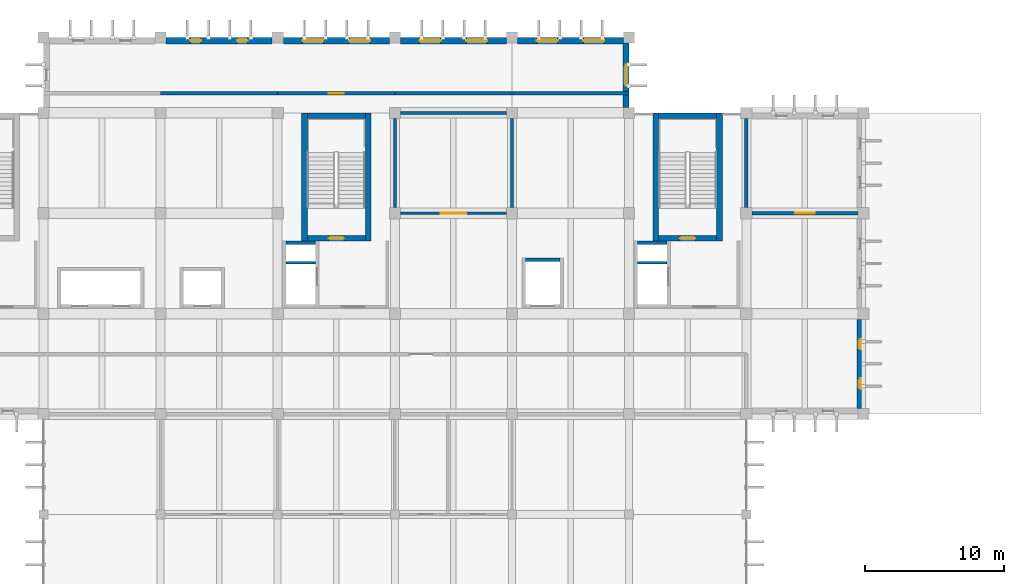
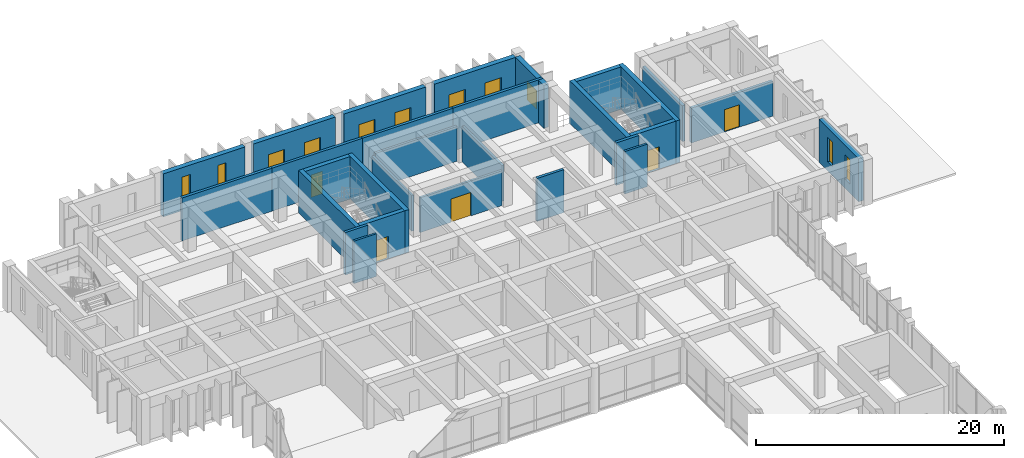
# One storey, part 30 of 40: 29 walls, 11 windows, 5 doors, 16 openings.
"""IFC4 building model written with IfcOpenShell, lengths in metres."""

from ifc_helpers import new_model, si_unit, direction, frame, frame_2d, origin, place, context, subcontext, project, spatial, rectangle, extrude, material, layer, layer_set, type_object, element, fill, save


model = new_model("IFC4")

# Units and contexts
model_context = context("Model", 3, precision=1e-05, world=origin(), true_north=direction((0.0, 1.0)))
body_context = subcontext(model_context, "Body", "Model", "MODEL_VIEW")
ifc_project = project(units=[si_unit("LENGTHUNIT", "METRE"), si_unit("AREAUNIT", "SQUARE_METRE"), si_unit("VOLUMEUNIT", "CUBIC_METRE"), si_unit("PLANEANGLEUNIT", "RADIAN"), si_unit("MASSUNIT", "GRAM", prefix="KILO")], contexts=[model_context])

# Site, building, storey
site_placement = place(None, origin())
site = spatial("IfcSite", under=ifc_project, at=site_placement, CompositionType="ELEMENT")
building_placement = place(site_placement, origin())
building = spatial("IfcBuilding", under=site, at=building_placement, Name="Kenerak Square Central Library", CompositionType="ELEMENT")
storey_placement = place(building_placement, frame((0.0, 0.0, 14.39990234375)))
storey = spatial("IfcBuildingStorey", under=building, at=storey_placement, Name="L03", CompositionType="ELEMENT", Elevation=14.39990234375)

# Walls
ifc_material_1 = material(Name="Concrete C40/50", Category="concrete")
ifc_layer_1 = layer(ifc_material_1, 0.25)
ifc_layer_set_1 = layer_set([ifc_layer_1], Name="Concrete C40/50")
wall_type_1 = type_object("IfcWallType", Name="Archive Compartment Wall IW-250 C40/50", PredefinedType="SOLIDWALL", material=ifc_layer_set_1)
wall_1_placement = place(storey_placement, frame((108.800048828125, 111.800048828125, 0.0), z_axis=(0.0, 0.0, 1.0), x_axis=(-1.0, 0.0, 0.0)))
element("IfcWall", 1, at=wall_1_placement, inside=storey, type_object=wall_type_1, Name="Interior Wall IW-L03-07-S1-B1", PredefinedType="SOLIDWALL", context=body_context, shape_type="SweptSolid", body=[
    extrude(rectangle(XDim=8.400146484375, YDim=0.25, at=frame_2d((4.2001953125, 0.0))), origin(), (0.0, 0.0, 1.0), 4.22998046875),
])
wall_2_placement = place(storey_placement, frame((100.39990234375, 111.800048828125, 0.0), z_axis=(0.0, 0.0, 1.0), x_axis=(-1.0, 0.0, 0.0)))
element("IfcWall", 2, at=wall_2_placement, inside=storey, type_object=wall_type_1, Name="Interior Wall IW-L03-07-S1-B2", PredefinedType="SOLIDWALL", context=body_context, shape_type="SweptSolid", body=[
    extrude(rectangle(XDim=8.39990234375, YDim=0.25, at=frame_2d((4.199951171875, 0.0))), origin(), (0.0, 0.0, 1.0), 4.22998046875),
])

# Wall, opening, door
wall_3_placement = place(storey_placement, frame((92.0, 111.800048828125, 0.0), z_axis=(0.0, 0.0, 1.0), x_axis=(-1.0, 0.0, 0.0)))
wall_3 = element("IfcWall", 3, at=wall_3_placement, inside=storey, type_object=wall_type_1, Name="Interior Wall IW-L03-07-S1-B3", PredefinedType="SOLIDWALL", context=body_context, shape_type="SweptSolid", body=[
    extrude(rectangle(XDim=8.39990234375, YDim=0.25, at=frame_2d((4.199951171875, 0.0))), origin(), (0.0, 0.0, 1.0), 4.22998046875),
])
opening_1_placement = place(wall_3_placement, frame((3.675048828125, 0.0, 0.0)))
opening_1 = element("IfcOpeningElement", 4, at=opening_1_placement, cuts=wall_3, Name="Opening ID-04", PredefinedType="OPENING", context=body_context, shape_type="SweptSolid", body=[
    extrude(rectangle(XDim=1.050048828125, YDim=2.199951171875, at=frame_2d((0.52490234375, 1.10009765625))), frame((0.0, 0.135009765625, 0.0), z_axis=(0.0, -1.0, 0.0), x_axis=(1.0, 0.0, 0.0)), (0.0, 0.0, 1.0), 0.27001953125),
])
ifc_material_2 = material(Name="Steel S355", Category="steel")
door_type_1 = type_object("IfcDoorType", Name="Conservation Lab Door ID-1050x2200 FD60S", OperationType="NOTDEFINED", PredefinedType="DOOR", material=ifc_material_2)
door_1_placement = place(opening_1_placement, origin())
door_1 = element("IfcDoor", 5, at=door_1_placement, inside=storey, type_object=door_type_1, Name="Paper Deacidification and Conservation Laboratory Door", OperationType="SINGLE_SWING_LEFT", OverallHeight=2.199951171875, OverallWidth=1.050048828125, PredefinedType="DOOR", context=body_context, shape_type="SweptSolid", body=[
    extrude(rectangle(XDim=1.050048828125, YDim=2.199951171875, at=frame_2d((0.52490234375, 1.10009765625))), frame((0.0, 0.02490234375, 0.0), z_axis=(0.0, -1.0, 0.0), x_axis=(1.0, 0.0, 0.0)), (0.0, 0.0, 1.0), 0.050048828125),
])
fill(opening_1, door_1)

# Wall
wall_4_placement = place(storey_placement, frame((83.60009765625, 111.800048828125, 0.0), z_axis=(0.0, 0.0, 1.0), x_axis=(-1.0, 0.0, 0.0)))
element("IfcWall", 6, at=wall_4_placement, inside=storey, type_object=wall_type_1, Name="Interior Wall IW-L03-07-S1-B4", PredefinedType="SOLIDWALL", context=body_context, shape_type="SweptSolid", body=[
    extrude(rectangle(XDim=8.400146484375, YDim=0.25, at=frame_2d((4.2001953125, 0.0))), origin(), (0.0, 0.0, 1.0), 4.22998046875),
])

# Wall, opening, door
wall_5_placement = place(storey_placement, frame((125.199951171875, 103.199951171875, 0.0), z_axis=(0.0, 0.0, 1.0), x_axis=(-1.0, 0.0, 0.0)))
wall_5 = element("IfcWall", 7, at=wall_5_placement, inside=storey, type_object=wall_type_1, Name="Interior Wall IW-L03-08-S1-B1", PredefinedType="SOLIDWALL", context=body_context, shape_type="SweptSolid", body=[
    extrude(rectangle(XDim=7.599853515625, YDim=0.25, at=frame_2d((3.7998046875, 0.0))), origin(), (0.0, 0.0, 1.0), 3.43017578125),
])
opening_2_placement = place(wall_5_placement, frame((3.10009765625, 0.0, 0.0)))
opening_2 = element("IfcOpeningElement", 8, at=opening_2_placement, cuts=wall_5, Name="Opening ID-07", PredefinedType="OPENING", context=body_context, shape_type="SweptSolid", body=[
    extrude(rectangle(XDim=1.39990234375, YDim=2.199951171875, at=frame_2d((0.699951171875, 1.10009765625))), frame((0.0, 0.135009765625, 0.0), z_axis=(0.0, -1.0, 0.0), x_axis=(1.0, 0.0, 0.0)), (0.0, 0.0, 1.0), 0.27001953125),
])
door_type_2 = type_object("IfcDoorType", Name="Plant and Store Unequal Pair Door ID-1400x2200 FD60S", OperationType="NOTDEFINED", PredefinedType="DOOR", material=ifc_material_2)
door_2_placement = place(opening_2_placement, origin())
door_2 = element("IfcDoor", 9, at=door_2_placement, inside=storey, type_object=door_type_2, Name="Archival Mechanical Handling Plant Room L03 Door", OperationType="SINGLE_SWING_RIGHT", OverallHeight=2.199951171875, OverallWidth=1.39990234375, PredefinedType="DOOR", context=body_context, shape_type="SweptSolid", body=[
    extrude(rectangle(XDim=1.39990234375, YDim=2.199951171875, at=frame_2d((0.699951171875, 1.10009765625))), frame((0.0, 0.02490234375, 0.0), z_axis=(0.0, -1.0, 0.0), x_axis=(1.0, 0.0, 0.0)), (0.0, 0.0, 1.0), 0.050048828125),
])
fill(opening_2, door_2)

# Walls
wall_6_placement = place(storey_placement, frame((117.199951171875, 103.60009765625, 0.0), z_axis=(0.0, 0.0, 1.0), x_axis=(0.0, 1.0, 0.0)))
element("IfcWall", 10, at=wall_6_placement, inside=storey, type_object=wall_type_1, Name="Interior Wall IW-L03-08-W3-B1", PredefinedType="SOLIDWALL", context=body_context, shape_type="SweptSolid", body=[
    extrude(rectangle(XDim=6.39990234375, YDim=0.25, at=frame_2d((3.199951171875, 0.0))), origin(), (0.0, 0.0, 1.0), 3.530029296875),
])
ifc_layer_2 = layer(ifc_material_1, 0.39990234375)
ifc_layer_set_2 = layer_set([ifc_layer_2], Name="Concrete C40/50")
wall_type_2 = type_object("IfcWallType", Name="Core Shear Wall CW-400 C40/50", PredefinedType="SHEAR", material=ifc_layer_set_2)
for number, where, z_axis, x_axis, name in (
    (11, (85.52001953125, 101.199951171875, 0.0), (0.0, 0.0, 1.0), (0.0, 1.0, 0.0), "Core Wall CW-C2 L03 West"),
    (12, (90.080078125, 110.39990234375, 0.0), (0.0, 0.0, 1.0), (0.0, -1.0, 0.0), "Core Wall CW-C2 L03 East"),
):
    element("IfcWall", number, at=place(storey_placement, frame(where, z_axis=z_axis, x_axis=x_axis)), inside=storey, type_object=wall_type_2, Name=name, PredefinedType="SHEAR", context=body_context, shape_type="SweptSolid", body=[
        extrude(rectangle(XDim=9.199951171875, YDim=0.39990234375, at=frame_2d((4.60009765625, 0.0))), origin(), (0.0, 0.0, 1.0), 4.18017578125),
    ])

# Wall, opening, door
wall_7_placement = place(storey_placement, frame((89.8798828125, 101.39990234375, 0.0), z_axis=(0.0, 0.0, 1.0), x_axis=(-1.0, 0.0, 0.0)))
wall_7 = element("IfcWall", 13, at=wall_7_placement, inside=storey, type_object=wall_type_2, Name="Core Wall CW-C2 L03 South", PredefinedType="SHEAR", context=body_context, shape_type="SweptSolid", body=[
    extrude(rectangle(XDim=4.159912109375, YDim=0.39990234375, at=frame_2d((2.080078125, 0.0))), origin(), (0.0, 0.0, 1.0), 4.18017578125),
])
opening_3_placement = place(wall_7_placement, frame((1.530029296875, 0.0, 0.0)))
opening_3 = element("IfcOpeningElement", 14, at=opening_3_placement, cuts=wall_7, Name="Opening D-ST1", PredefinedType="OPENING", context=body_context, shape_type="SweptSolid", body=[
    extrude(rectangle(XDim=1.10009765625, YDim=2.199951171875, at=frame_2d((0.550048828125, 1.10009765625))), frame((0.0, 0.2099609375, 0.0), z_axis=(0.0, -1.0, 0.0), x_axis=(1.0, 0.0, 0.0)), (0.0, 0.0, 1.0), 0.419921875),
])
door_type_3 = type_object("IfcDoorType", Name="Protected Stair Fire Door FD-1100x2200 FD60S", OperationType="NOTDEFINED", PredefinedType="DOOR", material=ifc_material_2)
door_3_placement = place(opening_3_placement, frame((1.10009765625, 0.0, 0.0), z_axis=(0.0, 0.0, 1.0), x_axis=(-1.0, 0.0, 0.0)))
door_3 = element("IfcDoor", 15, at=door_3_placement, inside=storey, type_object=door_type_3, Name="Stair Door ST-02 L03", OperationType="SINGLE_SWING_RIGHT", OverallHeight=2.199951171875, OverallWidth=1.10009765625, PredefinedType="DOOR", context=body_context, shape_type="SweptSolid", body=[
    extrude(rectangle(XDim=1.10009765625, YDim=2.199951171875, at=frame_2d((0.550048828125, 1.10009765625))), frame((0.0, 0.02490234375, 0.0), z_axis=(0.0, -1.0, 0.0), x_axis=(1.0, 0.0, 0.0)), (0.0, 0.0, 1.0), 0.050048828125),
])
fill(opening_3, door_3)

# Walls
wall_8_placement = place(storey_placement, frame((85.719970703125, 110.199951171875, 0.0), z_axis=(0.0, 0.0, 1.0), x_axis=(1.0, 0.0, 0.0)))
element("IfcWall", 16, at=wall_8_placement, inside=storey, type_object=wall_type_2, Name="Core Wall CW-C2 L03 North", PredefinedType="SHEAR", context=body_context, shape_type="SweptSolid", body=[
    extrude(rectangle(XDim=4.159912109375, YDim=0.39990234375, at=frame_2d((2.080078125, 0.0))), origin(), (0.0, 0.0, 1.0), 4.18017578125),
])
for number, where, z_axis, x_axis, name in (
    (17, (110.719970703125, 101.199951171875, 0.0), (0.0, 0.0, 1.0), (0.0, 1.0, 0.0), "Core Wall CW-C3 L03 West"),
    (18, (115.280029296875, 110.39990234375, 0.0), (0.0, 0.0, 1.0), (0.0, -1.0, 0.0), "Core Wall CW-C3 L03 East"),
):
    element("IfcWall", number, at=place(storey_placement, frame(where, z_axis=z_axis, x_axis=x_axis)), inside=storey, type_object=wall_type_2, Name=name, PredefinedType="SHEAR", context=body_context, shape_type="SweptSolid", body=[
        extrude(rectangle(XDim=9.199951171875, YDim=0.39990234375, at=frame_2d((4.60009765625, 0.0))), origin(), (0.0, 0.0, 1.0), 4.18017578125),
    ])

# Wall, opening, door
wall_9_placement = place(storey_placement, frame((115.080078125, 101.39990234375, 0.0), z_axis=(0.0, 0.0, 1.0), x_axis=(-1.0, 0.0, 0.0)))
wall_9 = element("IfcWall", 19, at=wall_9_placement, inside=storey, type_object=wall_type_2, Name="Core Wall CW-C3 L03 South", PredefinedType="SHEAR", context=body_context, shape_type="SweptSolid", body=[
    extrude(rectangle(XDim=4.16015625, YDim=0.39990234375, at=frame_2d((2.080078125, 0.0))), origin(), (0.0, 0.0, 1.0), 4.18017578125),
])
opening_4_placement = place(wall_9_placement, frame((1.530029296875, 0.0, 0.0)))
opening_4 = element("IfcOpeningElement", 20, at=opening_4_placement, cuts=wall_9, Name="Opening D-ST1", PredefinedType="OPENING", context=body_context, shape_type="SweptSolid", body=[
    extrude(rectangle(XDim=1.10009765625, YDim=2.199951171875, at=frame_2d((0.550048828125, 1.10009765625))), frame((0.0, 0.2099609375, 0.0), z_axis=(0.0, -1.0, 0.0), x_axis=(1.0, 0.0, 0.0)), (0.0, 0.0, 1.0), 0.419921875),
])
door_4_placement = place(opening_4_placement, frame((1.10009765625, 0.0, 0.0), z_axis=(0.0, 0.0, 1.0), x_axis=(-1.0, 0.0, 0.0)))
door_4 = element("IfcDoor", 21, at=door_4_placement, inside=storey, type_object=door_type_3, Name="Stair Door ST-03 L03", OperationType="SINGLE_SWING_LEFT", OverallHeight=2.199951171875, OverallWidth=1.10009765625, PredefinedType="DOOR", context=body_context, shape_type="SweptSolid", body=[
    extrude(rectangle(XDim=1.10009765625, YDim=2.199951171875, at=frame_2d((0.550048828125, 1.10009765625))), frame((0.0, 0.02490234375, 0.0), z_axis=(0.0, -1.0, 0.0), x_axis=(1.0, 0.0, 0.0)), (0.0, 0.0, 1.0), 0.050048828125),
])
fill(opening_4, door_4)

# Walls
wall_10_placement = place(storey_placement, frame((110.919921875, 110.199951171875, 0.0), z_axis=(0.0, 0.0, 1.0), x_axis=(1.0, 0.0, 0.0)))
element("IfcWall", 22, at=wall_10_placement, inside=storey, type_object=wall_type_2, Name="Core Wall CW-C3 L03 North", PredefinedType="SHEAR", context=body_context, shape_type="SweptSolid", body=[
    extrude(rectangle(XDim=4.16015625, YDim=0.39990234375, at=frame_2d((2.080078125, 0.0))), origin(), (0.0, 0.0, 1.0), 4.18017578125),
])
ifc_layer_3 = layer(ifc_material_1, 0.199951171875)
ifc_layer_set_3 = layer_set([ifc_layer_3], Name="Concrete C40/50")
wall_type_3 = type_object("IfcWallType", Name="Lobby Compartment Wall LW-200 C40/50", PredefinedType="SOLIDWALL", material=ifc_layer_set_3)
for number, where, z_axis, x_axis, name in (
    (23, (84.199951171875, 99.64990234375, 0.0), (0.0, 0.0, 1.0), (1.0, 0.0, 0.0), "Riser Divider Wall C2 L03"),
    (24, (109.39990234375, 99.64990234375, 0.0), (0.0, 0.0, 1.0), (1.0, 0.0, 0.0), "Riser Divider Wall C3 L03"),
):
    element("IfcWall", number, at=place(storey_placement, frame(where, z_axis=z_axis, x_axis=x_axis)), inside=storey, type_object=wall_type_3, Name=name, PredefinedType="SOLIDWALL", context=body_context, shape_type="SweptSolid", body=[
        extrude(rectangle(XDim=2.10009765625, YDim=0.199951171875, at=frame_2d((1.050048828125, 0.0))), origin(), (0.0, 0.0, 1.0), 4.18017578125),
    ])

# Wall, opening, door
ifc_material_3 = material(Name="Precast concrete C40/50", Category="concrete")
ifc_layer_4 = layer(ifc_material_3, 0.199951171875)
ifc_layer_set_4 = layer_set([ifc_layer_4], Name="Precast concrete C40/50")
wall_type_4 = type_object("IfcWallType", Name="Protected Corridor Fire Wall IW-200 C40/50", PredefinedType="PARTITIONING", material=ifc_layer_set_4)
wall_11_placement = place(storey_placement, frame((100.0, 103.199951171875, 0.0), z_axis=(0.0, 0.0, 1.0), x_axis=(-1.0, 0.0, 0.0)))
wall_11 = element("IfcWall", 25, at=wall_11_placement, inside=storey, type_object=wall_type_4, Name="Interior Wall IW-L03-13-S1-B1", PredefinedType="PARTITIONING", context=body_context, shape_type="SweptSolid", body=[
    extrude(rectangle(XDim=7.60009765625, YDim=0.199951171875, at=frame_2d((3.800048828125, 0.0))), origin(), (0.0, 0.0, 1.0), 3.43017578125),
])
opening_5_placement = place(wall_11_placement, frame((2.875, 0.0, 0.0)))
opening_5 = element("IfcOpeningElement", 26, at=opening_5_placement, cuts=wall_11, Name="Opening ID-09", PredefinedType="OPENING", context=body_context, shape_type="SweptSolid", body=[
    extrude(rectangle(XDim=1.85009765625, YDim=2.300048828125, at=frame_2d((0.925048828125, 1.14990234375))), frame((0.0, 0.10986328125, 0.0), z_axis=(0.0, -1.0, 0.0), x_axis=(1.0, 0.0, 0.0)), (0.0, 0.0, 1.0), 0.219970703125),
])
ifc_material_4 = material(Name="Anodised aluminium and laminated glass", Category="aluminium")
door_type_4 = type_object("IfcDoorType", Name="Reading Room Glazed Double Door ID-1850x2300 FD60S", OperationType="NOTDEFINED", PredefinedType="DOOR", material=ifc_material_4)
door_5_placement = place(opening_5_placement, origin())
door_5 = element("IfcDoor", 27, at=door_5_placement, inside=storey, type_object=door_type_4, Name="Historical Maps and Atlases Folio Room Door", OperationType="DOUBLE_DOOR_SINGLE_SWING", OverallHeight=2.300048828125, OverallWidth=1.85009765625, PredefinedType="DOOR", context=body_context, shape_type="SweptSolid", body=[
    extrude(rectangle(XDim=1.85009765625, YDim=2.300048828125, at=frame_2d((0.925048828125, 1.14990234375))), frame((0.0, 0.02490234375, 0.0), z_axis=(0.0, -1.0, 0.0), x_axis=(1.0, 0.0, 0.0)), (0.0, 0.0, 1.0), 0.050048828125),
])
fill(opening_5, door_5)

# Walls
wall_12_placement = place(storey_placement, frame((92.39990234375, 110.39990234375, 0.0), z_axis=(0.0, 0.0, 1.0), x_axis=(1.0, 0.0, 0.0)))
element("IfcWall", 28, at=wall_12_placement, inside=storey, type_object=wall_type_4, Name="Interior Wall IW-L03-13-N2-B1", PredefinedType="PARTITIONING", context=body_context, shape_type="SweptSolid", body=[
    extrude(rectangle(XDim=7.60009765625, YDim=0.199951171875, at=frame_2d((3.800048828125, 0.0))), origin(), (0.0, 0.0, 1.0), 3.43017578125),
])
for number, where, z_axis, x_axis, name in (
    (29, (92.0, 103.60009765625, 0.0), (0.0, 0.0, 1.0), (0.0, 1.0, 0.0), "Interior Wall IW-L03-13-W3-B1"),
    (30, (100.39990234375, 110.0, 0.0), (0.0, 0.0, 1.0), (0.0, -1.0, 0.0), "Interior Wall IW-L03-13-E4-B1"),
):
    element("IfcWall", number, at=place(storey_placement, frame(where, z_axis=z_axis, x_axis=x_axis)), inside=storey, type_object=wall_type_4, Name=name, PredefinedType="PARTITIONING", context=body_context, shape_type="SweptSolid", body=[
        extrude(rectangle(XDim=6.39990234375, YDim=0.199951171875, at=frame_2d((3.199951171875, 0.0))), origin(), (0.0, 0.0, 1.0), 3.530029296875),
    ])

# Wall, openings, windows
ifc_layer_5 = layer(ifc_material_1, 0.449951171875)
ifc_layer_set_5 = layer_set([ifc_layer_5], Name="Concrete C40/50")
wall_type_5 = type_object("IfcWallType", Name="Rare-Books Vault Exterior Wall VW-450 C40/50", PredefinedType="SOLIDWALL", material=ifc_layer_set_5)
wall_13_placement = place(storey_placement, frame((75.60009765625, 115.574951171875, 0.0), z_axis=(0.0, 0.0, 1.0), x_axis=(1.0, 0.0, 0.0)))
wall_13 = element("IfcWall", 31, at=wall_13_placement, inside=storey, type_object=wall_type_5, Name="Exterior Facade Wall L03 0201", PredefinedType="SOLIDWALL", context=body_context, shape_type="SweptSolid", body=[
    extrude(rectangle(XDim=7.599853515625, YDim=0.449951171875, at=frame_2d((3.7998046875, 0.0))), origin(), (0.0, 0.0, 1.0), 4.22998046875),
])
opening_6_placement = place(wall_13_placement, frame((1.7529296875, 0.0, 0.89990234375)))
opening_6 = element("IfcOpeningElement", 32, at=opening_6_placement, cuts=wall_13, Name="Opening W-02", PredefinedType="OPENING", context=body_context, shape_type="SweptSolid", body=[
    extrude(rectangle(XDim=0.75, YDim=2.39990234375, at=frame_2d((0.375, 1.199951171875))), frame((0.0, 0.23486328125, 0.0), z_axis=(0.0, -1.0, 0.0), x_axis=(1.0, 0.0, 0.0)), (0.0, 0.0, 1.0), 0.469970703125),
])
opening_7_placement = place(wall_13_placement, frame((5.096923828125, 0.0, 0.89990234375)))
opening_7 = element("IfcOpeningElement", 33, at=opening_7_placement, cuts=wall_13, Name="Opening W-02", PredefinedType="OPENING", context=body_context, shape_type="SweptSolid", body=[
    extrude(rectangle(XDim=0.75, YDim=2.39990234375, at=frame_2d((0.375, 1.199951171875))), frame((0.0, 0.23486328125, 0.0), z_axis=(0.0, -1.0, 0.0), x_axis=(1.0, 0.0, 0.0)), (0.0, 0.0, 1.0), 0.469970703125),
])
ifc_material_5 = material(Name="Solar-control low-E laminated double glazing", Category="glass")
window_type_1 = type_object("IfcWindowType", Name="Archive Narrow Slot Window W-02 750x2400", PartitioningType="SINGLE_PANEL", PredefinedType="WINDOW", material=ifc_material_5)
window_1_placement = place(opening_6_placement, origin())
window_1 = element("IfcWindow", 34, at=window_1_placement, inside=storey, type_object=window_type_1, Name="Window W-02 L03 0213", OverallHeight=2.39990234375, OverallWidth=0.75, PartitioningType="SINGLE_PANEL", PredefinedType="WINDOW", context=body_context, shape_type="SweptSolid", body=[
    extrude(rectangle(XDim=0.75, YDim=2.39990234375, at=frame_2d((0.375, 1.199951171875))), frame((0.0, 0.030029296875, 0.0), z_axis=(0.0, -1.0, 0.0), x_axis=(1.0, 0.0, 0.0)), (0.0, 0.0, 1.0), 0.06005859375),
])
fill(opening_6, window_1)
window_2_placement = place(opening_7_placement, origin())
window_2 = element("IfcWindow", 35, at=window_2_placement, inside=storey, type_object=window_type_1, Name="Window W-02 L03 0214", OverallHeight=2.39990234375, OverallWidth=0.75, PartitioningType="SINGLE_PANEL", PredefinedType="WINDOW", context=body_context, shape_type="SweptSolid", body=[
    extrude(rectangle(XDim=0.75, YDim=2.39990234375, at=frame_2d((0.375, 1.199951171875))), frame((0.0, 0.030029296875, 0.0), z_axis=(0.0, -1.0, 0.0), x_axis=(1.0, 0.0, 0.0)), (0.0, 0.0, 1.0), 0.06005859375),
])
fill(opening_7, window_2)

wall_14_placement = place(storey_placement, frame((84.0, 115.574951171875, 0.0), z_axis=(0.0, 0.0, 1.0), x_axis=(1.0, 0.0, 0.0)))
wall_14 = element("IfcWall", 36, at=wall_14_placement, inside=storey, type_object=wall_type_5, Name="Exterior Facade Wall L03 0202", PredefinedType="SOLIDWALL", context=body_context, shape_type="SweptSolid", body=[
    extrude(rectangle(XDim=7.60009765625, YDim=0.449951171875, at=frame_2d((3.800048828125, 0.0))), origin(), (0.0, 0.0, 1.0), 4.22998046875),
])
opening_8_placement = place(wall_14_placement, frame((1.3779296875, 0.0, 0.89990234375)))
opening_8 = element("IfcOpeningElement", 37, at=opening_8_placement, cuts=wall_14, Name="Opening W-06", PredefinedType="OPENING", context=body_context, shape_type="SweptSolid", body=[
    extrude(rectangle(XDim=1.5, YDim=1.800048828125, at=frame_2d((0.75, 0.89990234375))), frame((0.0, 0.23486328125, 0.0), z_axis=(0.0, -1.0, 0.0), x_axis=(1.0, 0.0, 0.0)), (0.0, 0.0, 1.0), 0.469970703125),
])
opening_9_placement = place(wall_14_placement, frame((4.721923828125, 0.0, 0.89990234375)))
opening_9 = element("IfcOpeningElement", 38, at=opening_9_placement, cuts=wall_14, Name="Opening W-06", PredefinedType="OPENING", context=body_context, shape_type="SweptSolid", body=[
    extrude(rectangle(XDim=1.5, YDim=1.800048828125, at=frame_2d((0.75, 0.89990234375))), frame((0.0, 0.23486328125, 0.0), z_axis=(0.0, -1.0, 0.0), x_axis=(1.0, 0.0, 0.0)), (0.0, 0.0, 1.0), 0.469970703125),
])
window_type_2 = type_object("IfcWindowType", Name="Seminar Room Window W-06 1500x1800", PartitioningType="SINGLE_PANEL", PredefinedType="WINDOW", material=ifc_material_5)
window_3_placement = place(opening_8_placement, origin())
window_3 = element("IfcWindow", 39, at=window_3_placement, inside=storey, type_object=window_type_2, Name="Window W-06 L03 0215", OverallHeight=1.800048828125, OverallWidth=1.5, PartitioningType="SINGLE_PANEL", PredefinedType="WINDOW", context=body_context, shape_type="SweptSolid", body=[
    extrude(rectangle(XDim=1.5, YDim=1.800048828125, at=frame_2d((0.75, 0.89990234375))), frame((0.0, 0.030029296875, 0.0), z_axis=(0.0, -1.0, 0.0), x_axis=(1.0, 0.0, 0.0)), (0.0, 0.0, 1.0), 0.06005859375),
])
fill(opening_8, window_3)
window_4_placement = place(opening_9_placement, origin())
window_4 = element("IfcWindow", 40, at=window_4_placement, inside=storey, type_object=window_type_2, Name="Window W-06 L03 0216", OverallHeight=1.800048828125, OverallWidth=1.5, PartitioningType="SINGLE_PANEL", PredefinedType="WINDOW", context=body_context, shape_type="SweptSolid", body=[
    extrude(rectangle(XDim=1.5, YDim=1.800048828125, at=frame_2d((0.75, 0.89990234375))), frame((0.0, 0.030029296875, 0.0), z_axis=(0.0, -1.0, 0.0), x_axis=(1.0, 0.0, 0.0)), (0.0, 0.0, 1.0), 0.06005859375),
])
fill(opening_9, window_4)

wall_15_placement = place(storey_placement, frame((92.39990234375, 115.574951171875, 0.0), z_axis=(0.0, 0.0, 1.0), x_axis=(1.0, 0.0, 0.0)))
wall_15 = element("IfcWall", 41, at=wall_15_placement, inside=storey, type_object=wall_type_5, Name="Exterior Facade Wall L03 0203", PredefinedType="SOLIDWALL", context=body_context, shape_type="SweptSolid", body=[
    extrude(rectangle(XDim=7.60009765625, YDim=0.449951171875, at=frame_2d((3.800048828125, 0.0))), origin(), (0.0, 0.0, 1.0), 4.22998046875),
])
opening_10_placement = place(wall_15_placement, frame((1.3779296875, 0.0, 0.89990234375)))
opening_10 = element("IfcOpeningElement", 42, at=opening_10_placement, cuts=wall_15, Name="Opening W-06", PredefinedType="OPENING", context=body_context, shape_type="SweptSolid", body=[
    extrude(rectangle(XDim=1.5, YDim=1.800048828125, at=frame_2d((0.75, 0.89990234375))), frame((0.0, 0.23486328125, 0.0), z_axis=(0.0, -1.0, 0.0), x_axis=(1.0, 0.0, 0.0)), (0.0, 0.0, 1.0), 0.469970703125),
])
opening_11_placement = place(wall_15_placement, frame((4.721923828125, 0.0, 0.89990234375)))
opening_11 = element("IfcOpeningElement", 43, at=opening_11_placement, cuts=wall_15, Name="Opening W-06", PredefinedType="OPENING", context=body_context, shape_type="SweptSolid", body=[
    extrude(rectangle(XDim=1.5, YDim=1.800048828125, at=frame_2d((0.75, 0.89990234375))), frame((0.0, 0.23486328125, 0.0), z_axis=(0.0, -1.0, 0.0), x_axis=(1.0, 0.0, 0.0)), (0.0, 0.0, 1.0), 0.469970703125),
])
window_5_placement = place(opening_10_placement, origin())
window_5 = element("IfcWindow", 44, at=window_5_placement, inside=storey, type_object=window_type_2, Name="Window W-06 L03 0217", OverallHeight=1.800048828125, OverallWidth=1.5, PartitioningType="SINGLE_PANEL", PredefinedType="WINDOW", context=body_context, shape_type="SweptSolid", body=[
    extrude(rectangle(XDim=1.5, YDim=1.800048828125, at=frame_2d((0.75, 0.89990234375))), frame((0.0, 0.030029296875, 0.0), z_axis=(0.0, -1.0, 0.0), x_axis=(1.0, 0.0, 0.0)), (0.0, 0.0, 1.0), 0.06005859375),
])
fill(opening_10, window_5)
window_6_placement = place(opening_11_placement, origin())
window_6 = element("IfcWindow", 45, at=window_6_placement, inside=storey, type_object=window_type_2, Name="Window W-06 L03 0218", OverallHeight=1.800048828125, OverallWidth=1.5, PartitioningType="SINGLE_PANEL", PredefinedType="WINDOW", context=body_context, shape_type="SweptSolid", body=[
    extrude(rectangle(XDim=1.5, YDim=1.800048828125, at=frame_2d((0.75, 0.89990234375))), frame((0.0, 0.030029296875, 0.0), z_axis=(0.0, -1.0, 0.0), x_axis=(1.0, 0.0, 0.0)), (0.0, 0.0, 1.0), 0.06005859375),
])
fill(opening_11, window_6)

wall_16_placement = place(storey_placement, frame((100.800048828125, 115.574951171875, 0.0), z_axis=(0.0, 0.0, 1.0), x_axis=(1.0, 0.0, 0.0)))
wall_16 = element("IfcWall", 46, at=wall_16_placement, inside=storey, type_object=wall_type_5, Name="Exterior Facade Wall L03 0204", PredefinedType="SOLIDWALL", context=body_context, shape_type="SweptSolid", body=[
    extrude(rectangle(XDim=7.599853515625, YDim=0.449951171875, at=frame_2d((3.7998046875, 0.0))), origin(), (0.0, 0.0, 1.0), 4.22998046875),
])
opening_12_placement = place(wall_16_placement, frame((1.3779296875, 0.0, 0.89990234375)))
opening_12 = element("IfcOpeningElement", 47, at=opening_12_placement, cuts=wall_16, Name="Opening W-06", PredefinedType="OPENING", context=body_context, shape_type="SweptSolid", body=[
    extrude(rectangle(XDim=1.5, YDim=1.800048828125, at=frame_2d((0.75, 0.89990234375))), frame((0.0, 0.23486328125, 0.0), z_axis=(0.0, -1.0, 0.0), x_axis=(1.0, 0.0, 0.0)), (0.0, 0.0, 1.0), 0.469970703125),
])
opening_13_placement = place(wall_16_placement, frame((4.721923828125, 0.0, 0.89990234375)))
opening_13 = element("IfcOpeningElement", 48, at=opening_13_placement, cuts=wall_16, Name="Opening W-06", PredefinedType="OPENING", context=body_context, shape_type="SweptSolid", body=[
    extrude(rectangle(XDim=1.5, YDim=1.800048828125, at=frame_2d((0.75, 0.89990234375))), frame((0.0, 0.23486328125, 0.0), z_axis=(0.0, -1.0, 0.0), x_axis=(1.0, 0.0, 0.0)), (0.0, 0.0, 1.0), 0.469970703125),
])
window_7_placement = place(opening_12_placement, origin())
window_7 = element("IfcWindow", 49, at=window_7_placement, inside=storey, type_object=window_type_2, Name="Window W-06 L03 0219", OverallHeight=1.800048828125, OverallWidth=1.5, PartitioningType="SINGLE_PANEL", PredefinedType="WINDOW", context=body_context, shape_type="SweptSolid", body=[
    extrude(rectangle(XDim=1.5, YDim=1.800048828125, at=frame_2d((0.75, 0.89990234375))), frame((0.0, 0.030029296875, 0.0), z_axis=(0.0, -1.0, 0.0), x_axis=(1.0, 0.0, 0.0)), (0.0, 0.0, 1.0), 0.06005859375),
])
fill(opening_12, window_7)
window_8_placement = place(opening_13_placement, origin())
window_8 = element("IfcWindow", 50, at=window_8_placement, inside=storey, type_object=window_type_2, Name="Window W-06 L03 0220", OverallHeight=1.800048828125, OverallWidth=1.5, PartitioningType="SINGLE_PANEL", PredefinedType="WINDOW", context=body_context, shape_type="SweptSolid", body=[
    extrude(rectangle(XDim=1.5, YDim=1.800048828125, at=frame_2d((0.75, 0.89990234375))), frame((0.0, 0.030029296875, 0.0), z_axis=(0.0, -1.0, 0.0), x_axis=(1.0, 0.0, 0.0)), (0.0, 0.0, 1.0), 0.06005859375),
])
fill(opening_13, window_8)

# Wall, opening, window
wall_17_placement = place(storey_placement, frame((108.574951171875, 115.39990234375, 0.0), z_axis=(0.0, 0.0, 1.0), x_axis=(0.0, -1.0, 0.0)))
wall_17 = element("IfcWall", 51, at=wall_17_placement, inside=storey, type_object=wall_type_5, Name="Exterior Facade Wall L03 0205", PredefinedType="SOLIDWALL", context=body_context, shape_type="SweptSolid", body=[
    extrude(rectangle(XDim=4.599853515625, YDim=0.449951171875, at=frame_2d((2.2998046875, 0.0))), origin(), (0.0, 0.0, 1.0), 4.22998046875),
])
opening_14_placement = place(wall_17_placement, frame((1.550048828125, 0.0, 0.89990234375)))
opening_14 = element("IfcOpeningElement", 52, at=opening_14_placement, cuts=wall_17, Name="Opening W-06", PredefinedType="OPENING", context=body_context, shape_type="SweptSolid", body=[
    extrude(rectangle(XDim=1.5, YDim=1.800048828125, at=frame_2d((0.75, 0.89990234375))), frame((0.0, 0.23486328125, 0.0), z_axis=(0.0, -1.0, 0.0), x_axis=(1.0, 0.0, 0.0)), (0.0, 0.0, 1.0), 0.469970703125),
])
window_9_placement = place(opening_14_placement, origin())
window_9 = element("IfcWindow", 53, at=window_9_placement, inside=storey, type_object=window_type_2, Name="Window W-06 L03 0221", OverallHeight=1.800048828125, OverallWidth=1.5, PartitioningType="SINGLE_PANEL", PredefinedType="WINDOW", context=body_context, shape_type="SweptSolid", body=[
    extrude(rectangle(XDim=1.5, YDim=1.800048828125, at=frame_2d((0.75, 0.89990234375))), frame((0.0, 0.030029296875, 0.0), z_axis=(0.0, -1.0, 0.0), x_axis=(1.0, 0.0, 0.0)), (0.0, 0.0, 1.0), 0.06005859375),
])
fill(opening_14, window_9)

# Wall, openings, windows
wall_18_placement = place(storey_placement, frame((125.375, 95.60009765625, 0.0), z_axis=(0.0, 0.0, 1.0), x_axis=(0.0, -1.0, 0.0)))
wall_18 = element("IfcWall", 54, at=wall_18_placement, inside=storey, type_object=wall_type_5, Name="Exterior Facade Wall L03 0209", PredefinedType="SOLIDWALL", context=body_context, shape_type="SweptSolid", body=[
    extrude(rectangle(XDim=6.400146484375, YDim=0.449951171875, at=frame_2d((3.2001953125, 0.0))), origin(), (0.0, 0.0, 1.0), 4.22998046875),
])
opening_15_placement = place(wall_18_placement, frame((1.4169921875, 0.0, 0.89990234375)))
opening_15 = element("IfcOpeningElement", 55, at=opening_15_placement, cuts=wall_18, Name="Opening W-02", PredefinedType="OPENING", context=body_context, shape_type="SweptSolid", body=[
    extrude(rectangle(XDim=0.75, YDim=2.39990234375, at=frame_2d((0.375, 1.199951171875))), frame((0.0, 0.23486328125, 0.0), z_axis=(0.0, -1.0, 0.0), x_axis=(1.0, 0.0, 0.0)), (0.0, 0.0, 1.0), 0.469970703125),
])
opening_16_placement = place(wall_18_placement, frame((4.23291015625, 0.0, 0.89990234375)))
opening_16 = element("IfcOpeningElement", 56, at=opening_16_placement, cuts=wall_18, Name="Opening W-02", PredefinedType="OPENING", context=body_context, shape_type="SweptSolid", body=[
    extrude(rectangle(XDim=0.75, YDim=2.39990234375, at=frame_2d((0.375, 1.199951171875))), frame((0.0, 0.23486328125, 0.0), z_axis=(0.0, -1.0, 0.0), x_axis=(1.0, 0.0, 0.0)), (0.0, 0.0, 1.0), 0.469970703125),
])
window_10_placement = place(opening_15_placement, origin())
window_10 = element("IfcWindow", 57, at=window_10_placement, inside=storey, type_object=window_type_1, Name="Window W-02 L03 0228", OverallHeight=2.39990234375, OverallWidth=0.75, PartitioningType="SINGLE_PANEL", PredefinedType="WINDOW", context=body_context, shape_type="SweptSolid", body=[
    extrude(rectangle(XDim=0.75, YDim=2.39990234375, at=frame_2d((0.375, 1.199951171875))), frame((0.0, 0.030029296875, 0.0), z_axis=(0.0, -1.0, 0.0), x_axis=(1.0, 0.0, 0.0)), (0.0, 0.0, 1.0), 0.06005859375),
])
fill(opening_15, window_10)
window_11_placement = place(opening_16_placement, origin())
window_11 = element("IfcWindow", 58, at=window_11_placement, inside=storey, type_object=window_type_1, Name="Window W-02 L03 0229", OverallHeight=2.39990234375, OverallWidth=0.75, PartitioningType="SINGLE_PANEL", PredefinedType="WINDOW", context=body_context, shape_type="SweptSolid", body=[
    extrude(rectangle(XDim=0.75, YDim=2.39990234375, at=frame_2d((0.375, 1.199951171875))), frame((0.0, 0.030029296875, 0.0), z_axis=(0.0, -1.0, 0.0), x_axis=(1.0, 0.0, 0.0)), (0.0, 0.0, 1.0), 0.06005859375),
])
fill(opening_16, window_11)

# Walls
ifc_layer_6 = layer(ifc_material_1, 0.25)
ifc_layer_set_6 = layer_set([ifc_layer_6], Name="Concrete C40/50")
wall_type_6 = type_object("IfcWallType", Name="Shaft Enclosure Wall SW-250 C40/50", PredefinedType="SOLIDWALL", material=ifc_layer_set_6)
for number, where, z_axis, x_axis, name in (
    (59, (84.199951171875, 101.074951171875, 0.0), (0.0, 0.0, 1.0), (1.0, 0.0, 0.0), "Core Wall FLW-C2 L03 North"),
    (60, (109.39990234375, 101.074951171875, 0.0), (0.0, 0.0, 1.0), (1.0, 0.0, 0.0), "Core Wall FLW-C3 L03 North"),
):
    element("IfcWall", number, at=place(storey_placement, frame(where, z_axis=z_axis, x_axis=x_axis)), inside=storey, type_object=wall_type_6, Name=name, PredefinedType="SOLIDWALL", context=body_context, shape_type="SweptSolid", body=[
        extrude(rectangle(XDim=2.10009765625, YDim=0.25, at=frame_2d((1.050048828125, 0.0))), origin(), (0.0, 0.0, 1.0), 4.18017578125),
    ])
wall_19_placement = place(storey_placement, frame((101.35009765625, 99.875, 0.0), z_axis=(0.0, 0.0, 1.0), x_axis=(1.0, 0.0, 0.0)))
element("IfcWall", 61, at=wall_19_placement, inside=storey, type_object=wall_type_6, Name="Core Wall GLSHAFT L03 North", PredefinedType="SOLIDWALL", context=body_context, shape_type="SweptSolid", body=[
    extrude(rectangle(XDim=2.5, YDim=0.25, at=frame_2d((1.25, 0.0))), origin(), (0.0, 0.0, 1.0), 4.22998046875),
])

save(model, "model.ifc")
